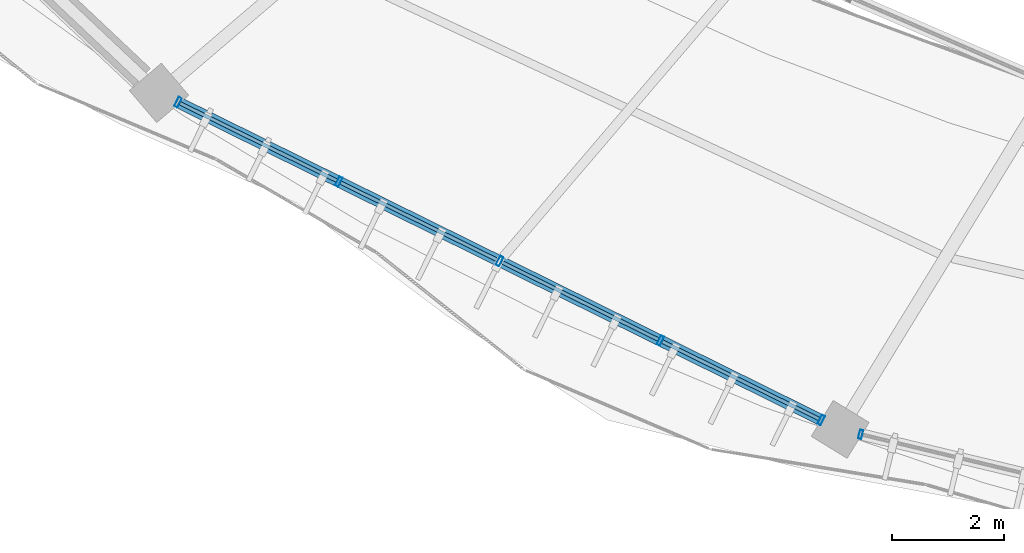
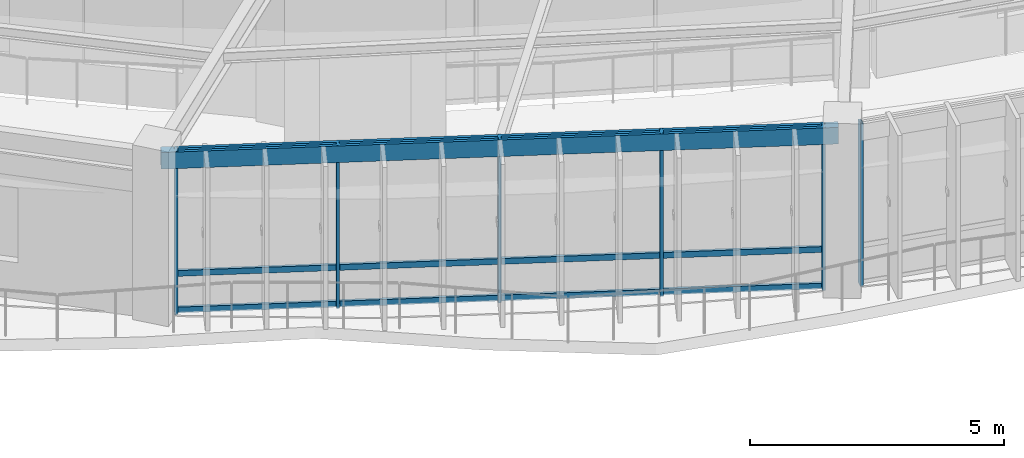
# One storey, part 48 of 152: 18 members, 1 beam, 2 elements without a shape of their own.
"""IFC4 building model written with IfcOpenShell, lengths in metres."""

from ifc_helpers import new_model, si_unit, direction, frame, origin, origin_2d, place, context, subcontext, project, spatial, hollow_rectangle, extrude, material, material_profile, profile_set, type_object, element, aggregate, save


model = new_model("IFC4")

# Units and contexts
model_context = context("Model", 3, precision=1e-05, world=origin(), true_north=direction((0.0, 1.0)))
body_context = subcontext(model_context, "Body", "Model", "MODEL_VIEW")
ifc_project = project(units=[si_unit("LENGTHUNIT", "METRE"), si_unit("AREAUNIT", "SQUARE_METRE"), si_unit("VOLUMEUNIT", "CUBIC_METRE"), si_unit("PLANEANGLEUNIT", "RADIAN"), si_unit("MASSUNIT", "GRAM", prefix="KILO"), si_unit("THERMODYNAMICTEMPERATUREUNIT", "KELVIN"), si_unit("POWERUNIT", "WATT")], contexts=[model_context])

# Site, building, storey
site_placement = place(None, origin())
site = spatial("IfcSite", under=ifc_project, at=site_placement, CompositionType="ELEMENT")
building_placement = place(site_placement, origin())
building = spatial("IfcBuilding", under=site, at=building_placement, Name="Darbajah Civic Hall", CompositionType="ELEMENT")
storey_placement = place(building_placement, frame((0.0, 0.0, 5.39990234375)))
storey = spatial("IfcBuildingStorey", under=building, at=storey_placement, Name="L01", CompositionType="ELEMENT", Elevation=5.39990234375)

# Curtain wall, member
ifc_material_1 = material(Name="Anodised Bronze Aluminium and Low-E Glazing", Category="aluminium")
curtain_wall_type_1 = type_object("IfcCurtainWallType", Name="Unitised Curtain Wall CW-31 14400x3900", PredefinedType="USERDEFINED", material=ifc_material_1)
curtain_wall_1_placement = place(storey_placement, origin())
curtain_wall_1 = element("IfcCurtainWall", 1, at=curtain_wall_1_placement, inside=storey, type_object=curtain_wall_type_1, Name="L01 unitised curtain wall CW-V1O-L01-13", ObjectType="UNITISED CURTAIN WALL", PredefinedType="USERDEFINED")
ifc_material_2 = material(Name="Anodised Bronze Aluminium", Category="aluminium")
ifc_material_profile_1 = material_profile(ifc_material_2, hollow_rectangle(XDim=0.06005859375, YDim=0.159912109375, WallThickness=0.00341796875, at=origin_2d()), Name="ALU MULLION 60x160")
ifc_profile_set_1 = profile_set([ifc_material_profile_1], Name="Anodised Bronze Aluminium")
member_type_1 = type_object("IfcMemberType", Name="ALU MULLION 60x160", PredefinedType="MULLION", material=ifc_profile_set_1)
member_1_placement = place(storey_placement, frame((62.819091796875, 64.559326171875, 0.0), z_axis=(0.0, 0.0, 1.0), x_axis=(0.972492018808, -0.232936200179, 0.0)))
member_1 = element("IfcMember", 2, at=member_1_placement, type_object=member_type_1, Name="CW-V1O-L01-13 mullion 1", PredefinedType="MULLION", context=body_context, shape_type="SweptSolid", body=[
    extrude(hollow_rectangle(XDim=0.06005859375, YDim=0.159912109375, WallThickness=0.00341796875, at=origin_2d()), origin(), (0.0, 0.0, 1.0), 3.920166015625),
])
aggregate(curtain_wall_1, [member_1])

# Curtain wall, members
curtain_wall_type_2 = type_object("IfcCurtainWallType", Name="Unitised Curtain Wall CW-30 12800x3900", PredefinedType="USERDEFINED", material=ifc_material_1)
curtain_wall_2_placement = place(storey_placement, origin())
curtain_wall_2 = element("IfcCurtainWall", 3, at=curtain_wall_2_placement, inside=storey, type_object=curtain_wall_type_2, Name="L01 unitised curtain wall CW-V1O-L01-12", ObjectType="UNITISED CURTAIN WALL", PredefinedType="USERDEFINED")
ifc_material_profile_2 = material_profile(ifc_material_2, hollow_rectangle(XDim=0.06494140625, YDim=0.179931640625, WallThickness=0.00390625, at=origin_2d()), Name="ALU MULLION 65x180")
ifc_profile_set_2 = profile_set([ifc_material_profile_2], Name="Anodised Bronze Aluminium")
member_type_2 = type_object("IfcMemberType", Name="ALU MULLION 65x180", PredefinedType="MULLION", material=ifc_profile_set_2)
member_2_placement = place(storey_placement, frame((50.6572265625, 70.474365234375, 0.0), z_axis=(0.0, 0.0, 1.0), x_axis=(0.89656374724, -0.442914717678, 0.0)))
member_2 = element("IfcMember", 4, at=member_2_placement, type_object=member_type_2, Name="CW-V1O-L01-12 mullion 1", PredefinedType="MULLION", context=body_context, shape_type="SweptSolid", body=[
    extrude(hollow_rectangle(XDim=0.06494140625, YDim=0.179931640625, WallThickness=0.00390625, at=origin_2d()), origin(), (0.0, 0.0, 1.0), 3.920166015625),
])
member_3_placement = place(storey_placement, frame((53.521484375, 69.05908203125, 0.0), z_axis=(0.0, 0.0, 1.0), x_axis=(0.89656374724, -0.442914717678, 0.0)))
member_3 = element("IfcMember", 5, at=member_3_placement, type_object=member_type_2, Name="CW-V1O-L01-12 mullion 2", PredefinedType="MULLION", context=body_context, shape_type="SweptSolid", body=[
    extrude(hollow_rectangle(XDim=0.06494140625, YDim=0.179931640625, WallThickness=0.00390625, at=origin_2d()), origin(), (0.0, 0.0, 1.0), 3.920166015625),
])
member_4_placement = place(storey_placement, frame((56.385986328125, 67.644287109375, 0.0), z_axis=(0.0, 0.0, 1.0), x_axis=(0.89656374724, -0.442914717678, 0.0)))
member_4 = element("IfcMember", 6, at=member_4_placement, type_object=member_type_2, Name="CW-V1O-L01-12 mullion 3", PredefinedType="MULLION", context=body_context, shape_type="SweptSolid", body=[
    extrude(hollow_rectangle(XDim=0.06494140625, YDim=0.179931640625, WallThickness=0.00390625, at=origin_2d()), origin(), (0.0, 0.0, 1.0), 3.920166015625),
])
member_5_placement = place(storey_placement, frame((59.250244140625, 66.229248046875, 0.0), z_axis=(0.0, 0.0, 1.0), x_axis=(0.89656374724, -0.442914717678, 0.0)))
member_5 = element("IfcMember", 7, at=member_5_placement, type_object=member_type_2, Name="CW-V1O-L01-12 mullion 4", PredefinedType="MULLION", context=body_context, shape_type="SweptSolid", body=[
    extrude(hollow_rectangle(XDim=0.06494140625, YDim=0.179931640625, WallThickness=0.00390625, at=origin_2d()), origin(), (0.0, 0.0, 1.0), 3.920166015625),
])
member_6_placement = place(storey_placement, frame((62.114501953125, 64.814208984375, 0.0), z_axis=(0.0, 0.0, 1.0), x_axis=(0.89656374724, -0.442914717678, 0.0)))
member_6 = element("IfcMember", 8, at=member_6_placement, type_object=member_type_2, Name="CW-V1O-L01-12 mullion 5", PredefinedType="MULLION", context=body_context, shape_type="SweptSolid", body=[
    extrude(hollow_rectangle(XDim=0.06494140625, YDim=0.179931640625, WallThickness=0.00390625, at=origin_2d()), origin(), (0.0, 0.0, 1.0), 3.920166015625),
])
ifc_material_profile_3 = material_profile(ifc_material_2, hollow_rectangle(XDim=0.06494140625, YDim=0.139892578125, WallThickness=0.00341796875, at=origin_2d()), Name="ALU TRANSOM 65x140")
ifc_profile_set_3 = profile_set([ifc_material_profile_3], Name="Anodised Bronze Aluminium")
member_type_3 = type_object("IfcMemberType", Name="ALU TRANSOM 65x140", PredefinedType="USERDEFINED", material=ifc_profile_set_3)
member_7_placement = place(storey_placement, frame((50.69091796875, 70.457763671875, 0.070068359375), z_axis=(0.896561082249, -0.442920112205, 0.0), x_axis=(0.442920112205, 0.896561082249, 0.0)))
member_7 = element("IfcMember", 9, at=member_7_placement, type_object=member_type_3, Name="CW-V1O-L01-12 transom 1.1", ObjectType="TRANSOM", PredefinedType="USERDEFINED", context=body_context, shape_type="SweptSolid", body=[
    extrude(hollow_rectangle(XDim=0.06494140625, YDim=0.139892578125, WallThickness=0.00341796875, at=origin_2d()), origin(), (0.0, 0.0, 1.0), 3.119873046875),
])
member_8_placement = place(storey_placement, frame((50.69091796875, 70.457763671875, 0.9501953125), z_axis=(0.896561082249, -0.442920112205, 0.0), x_axis=(0.442920112205, 0.896561082249, 0.0)))
member_8 = element("IfcMember", 10, at=member_8_placement, type_object=member_type_3, Name="CW-V1O-L01-12 transom 1.2", ObjectType="TRANSOM", PredefinedType="USERDEFINED", context=body_context, shape_type="SweptSolid", body=[
    extrude(hollow_rectangle(XDim=0.06494140625, YDim=0.139892578125, WallThickness=0.00341796875, at=origin_2d()), origin(), (0.0, 0.0, 1.0), 3.119873046875),
])
member_9_placement = place(storey_placement, frame((50.69091796875, 70.457763671875, 3.85009765625), z_axis=(0.896561082249, -0.442920112205, 0.0), x_axis=(0.442920112205, 0.896561082249, 0.0)))
member_9 = element("IfcMember", 11, at=member_9_placement, type_object=member_type_3, Name="CW-V1O-L01-12 transom 1.3", ObjectType="TRANSOM", PredefinedType="USERDEFINED", context=body_context, shape_type="SweptSolid", body=[
    extrude(hollow_rectangle(XDim=0.06494140625, YDim=0.139892578125, WallThickness=0.00341796875, at=origin_2d()), origin(), (0.0, 0.0, 1.0), 3.119873046875),
])
member_10_placement = place(storey_placement, frame((53.55517578125, 69.04248046875, 0.070068359375), z_axis=(0.896592156343, -0.442857206314, 0.0), x_axis=(0.442857206314, 0.896592156343, 0.0)))
member_10 = element("IfcMember", 12, at=member_10_placement, type_object=member_type_3, Name="CW-V1O-L01-12 transom 2.1", ObjectType="TRANSOM", PredefinedType="USERDEFINED", context=body_context, shape_type="SweptSolid", body=[
    extrude(hollow_rectangle(XDim=0.06494140625, YDim=0.139892578125, WallThickness=0.00341796875, at=origin_2d()), origin(), (0.0, 0.0, 1.0), 3.11962890625),
])
member_11_placement = place(storey_placement, frame((53.55517578125, 69.04248046875, 0.9501953125), z_axis=(0.896592156343, -0.442857206314, 0.0), x_axis=(0.442857206314, 0.896592156343, 0.0)))
member_11 = element("IfcMember", 13, at=member_11_placement, type_object=member_type_3, Name="CW-V1O-L01-12 transom 2.2", ObjectType="TRANSOM", PredefinedType="USERDEFINED", context=body_context, shape_type="SweptSolid", body=[
    extrude(hollow_rectangle(XDim=0.06494140625, YDim=0.139892578125, WallThickness=0.00341796875, at=origin_2d()), origin(), (0.0, 0.0, 1.0), 3.11962890625),
])
member_12_placement = place(storey_placement, frame((53.55517578125, 69.04248046875, 3.85009765625), z_axis=(0.896592156343, -0.442857206314, 0.0), x_axis=(0.442857206314, 0.896592156343, 0.0)))
member_12 = element("IfcMember", 14, at=member_12_placement, type_object=member_type_3, Name="CW-V1O-L01-12 transom 2.3", ObjectType="TRANSOM", PredefinedType="USERDEFINED", context=body_context, shape_type="SweptSolid", body=[
    extrude(hollow_rectangle(XDim=0.06494140625, YDim=0.139892578125, WallThickness=0.00341796875, at=origin_2d()), origin(), (0.0, 0.0, 1.0), 3.11962890625),
])
member_13_placement = place(storey_placement, frame((56.419677734375, 67.627685546875, 0.070068359375), z_axis=(0.896561082249, -0.442920112205, 0.0), x_axis=(0.442920112205, 0.896561082249, 0.0)))
member_13 = element("IfcMember", 15, at=member_13_placement, type_object=member_type_3, Name="CW-V1O-L01-12 transom 3.1", ObjectType="TRANSOM", PredefinedType="USERDEFINED", context=body_context, shape_type="SweptSolid", body=[
    extrude(hollow_rectangle(XDim=0.06494140625, YDim=0.139892578125, WallThickness=0.00341796875, at=origin_2d()), origin(), (0.0, 0.0, 1.0), 3.119873046875),
])
member_14_placement = place(storey_placement, frame((56.419677734375, 67.627685546875, 0.9501953125), z_axis=(0.896561082249, -0.442920112205, 0.0), x_axis=(0.442920112205, 0.896561082249, 0.0)))
member_14 = element("IfcMember", 16, at=member_14_placement, type_object=member_type_3, Name="CW-V1O-L01-12 transom 3.2", ObjectType="TRANSOM", PredefinedType="USERDEFINED", context=body_context, shape_type="SweptSolid", body=[
    extrude(hollow_rectangle(XDim=0.06494140625, YDim=0.139892578125, WallThickness=0.00341796875, at=origin_2d()), origin(), (0.0, 0.0, 1.0), 3.119873046875),
])
member_15_placement = place(storey_placement, frame((56.419677734375, 67.627685546875, 3.85009765625), z_axis=(0.896561082249, -0.442920112205, 0.0), x_axis=(0.442920112205, 0.896561082249, 0.0)))
member_15 = element("IfcMember", 17, at=member_15_placement, type_object=member_type_3, Name="CW-V1O-L01-12 transom 3.3", ObjectType="TRANSOM", PredefinedType="USERDEFINED", context=body_context, shape_type="SweptSolid", body=[
    extrude(hollow_rectangle(XDim=0.06494140625, YDim=0.139892578125, WallThickness=0.00341796875, at=origin_2d()), origin(), (0.0, 0.0, 1.0), 3.119873046875),
])
member_16_placement = place(storey_placement, frame((59.283935546875, 66.21240234375, 0.070068359375), z_axis=(0.896592156343, -0.442857206314, 0.0), x_axis=(0.442857206314, 0.896592156343, 0.0)))
member_16 = element("IfcMember", 18, at=member_16_placement, type_object=member_type_3, Name="CW-V1O-L01-12 transom 4.1", ObjectType="TRANSOM", PredefinedType="USERDEFINED", context=body_context, shape_type="SweptSolid", body=[
    extrude(hollow_rectangle(XDim=0.06494140625, YDim=0.139892578125, WallThickness=0.00341796875, at=origin_2d()), origin(), (0.0, 0.0, 1.0), 3.11962890625),
])
member_17_placement = place(storey_placement, frame((59.283935546875, 66.21240234375, 0.9501953125), z_axis=(0.896592156343, -0.442857206314, 0.0), x_axis=(0.442857206314, 0.896592156343, 0.0)))
member_17 = element("IfcMember", 19, at=member_17_placement, type_object=member_type_3, Name="CW-V1O-L01-12 transom 4.2", ObjectType="TRANSOM", PredefinedType="USERDEFINED", context=body_context, shape_type="SweptSolid", body=[
    extrude(hollow_rectangle(XDim=0.06494140625, YDim=0.139892578125, WallThickness=0.00341796875, at=origin_2d()), origin(), (0.0, 0.0, 1.0), 3.11962890625),
])
member_18_placement = place(storey_placement, frame((59.283935546875, 66.21240234375, 3.85009765625), z_axis=(0.896592156343, -0.442857206314, 0.0), x_axis=(0.442857206314, 0.896592156343, 0.0)))
member_18 = element("IfcMember", 20, at=member_18_placement, type_object=member_type_3, Name="CW-V1O-L01-12 transom 4.3", ObjectType="TRANSOM", PredefinedType="USERDEFINED", context=body_context, shape_type="SweptSolid", body=[
    extrude(hollow_rectangle(XDim=0.06494140625, YDim=0.139892578125, WallThickness=0.00341796875, at=origin_2d()), origin(), (0.0, 0.0, 1.0), 3.11962890625),
])
aggregate(curtain_wall_2, [member_2, member_3, member_4, member_5, member_6, member_7, member_8, member_9, member_10, member_11, member_12, member_13, member_14, member_15, member_16, member_17, member_18])

# Beam
ifc_material_3 = material(Name="Steel S355JR", Category="steel")
ifc_material_profile_4 = material_profile(ifc_material_3, hollow_rectangle(XDim=0.199951171875, YDim=0.39990234375, WallThickness=0.013916015625, at=origin_2d()), Name="RHS 400x200x14")
ifc_profile_set_4 = profile_set([ifc_material_profile_4], Name="Steel S355JR")
beam_type = type_object("IfcBeamType", Name="RHS 400x200x14", PredefinedType="SPANDREL", material=ifc_profile_set_4)
beam_placement = place(storey_placement, frame((50.39111328125, 70.60595703125, 3.72021484375), z_axis=(0.896556568061, -0.442929249731, 0.0), x_axis=(0.442929249731, 0.896556568061, 0.0)))
element("IfcBeam", 21, at=beam_placement, inside=storey, type_object=beam_type, Name="L01 beam SP-RHS400", PredefinedType="SPANDREL", context=body_context, shape_type="SweptSolid", body=[
    extrude(hollow_rectangle(XDim=0.199951171875, YDim=0.39990234375, WallThickness=0.013916015625, at=origin_2d()), origin(), (0.0, 0.0, 1.0), 13.373046875),
])

save(model, "model.ifc")
